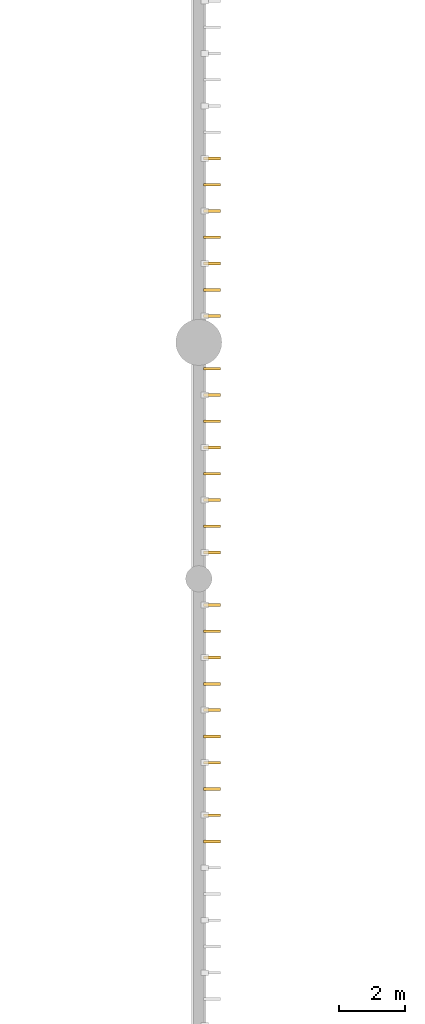
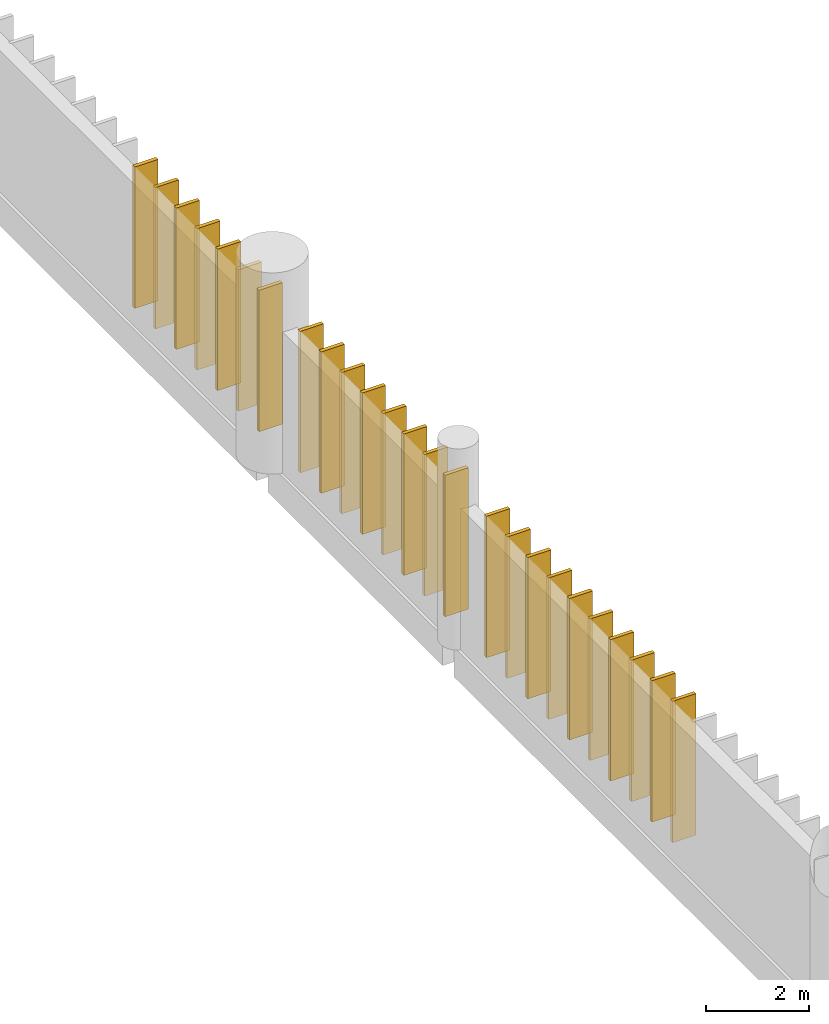
# One storey, part 61 of 64: 25 coverings, 13 shading devices.
"""IFC4 building model written with IfcOpenShell, lengths in metres."""

from ifc_helpers import new_model, si_unit, direction, frame, origin, origin_2d, place, context, subcontext, project, spatial, rectangle, extrude, material, layer, layer_set, type_object, element, save


model = new_model("IFC4")

# Units and contexts
model_context = context("Model", 3, precision=1e-05, world=origin(), true_north=direction((0.0, 1.0)))
body_context = subcontext(model_context, "Body", "Model", "MODEL_VIEW")
ifc_project = project(units=[si_unit("LENGTHUNIT", "METRE"), si_unit("AREAUNIT", "SQUARE_METRE"), si_unit("VOLUMEUNIT", "CUBIC_METRE"), si_unit("PLANEANGLEUNIT", "RADIAN"), si_unit("MASSUNIT", "GRAM", prefix="KILO")], contexts=[model_context])

# Site, building, storey
site_placement = place(None, origin())
site = spatial("IfcSite", under=ifc_project, at=site_placement, CompositionType="ELEMENT")
building_placement = place(site_placement, origin())
building = spatial("IfcBuilding", under=site, at=building_placement, Name="Qandorah Velis Arena", CompositionType="ELEMENT")
storey_placement = place(building_placement, frame((0.0, 0.0, 23.0)))
storey = spatial("IfcBuildingStorey", under=building, at=storey_placement, Name="L05", CompositionType="ELEMENT", Elevation=23.0)

# Coverings
ifc_material = material(Name="Champagne-bronze anodized aluminium 6063-T6", Category="aluminium")
ifc_layer = layer(ifc_material, 0.0849609375)
ifc_layer_set = layer_set([ifc_layer], Name="Champagne-bronze anodized aluminium 6063-T6")
covering_type = type_object("IfcCoveringType", Name="ARC-COV-FIN520", PredefinedType="CLADDING", material=ifc_layer_set)
for number, where, z_axis, x_axis, name in (
    (1, (115.60205078125, 42.39990234375, 0.0), (0.0, 0.0, 1.0), (1.0, 0.0, 0.0), "Vertical champagne-bronze solar fin blade DRM-2-03-L05-008"),
    (2, (115.60205078125, 43.199951171875, 0.0), (0.0, 0.0, 1.0), (1.0, 0.0, 0.0), "Vertical champagne-bronze solar fin blade DRM-2-03-L05-009"),
    (3, (115.60205078125, 44.0, 0.0), (0.0, 0.0, 1.0), (1.0, 0.0, 0.0), "Vertical champagne-bronze solar fin blade DRM-2-03-L05-010"),
    (4, (115.60205078125, 44.800048828125, 0.0), (0.0, 0.0, 1.0), (1.0, 0.0, 0.0), "Vertical champagne-bronze solar fin blade DRM-2-03-L05-011"),
    (5, (115.60205078125, 45.60009765625, 0.0), (0.0, 0.0, 1.0), (1.0, 0.0, 0.0), "Vertical champagne-bronze solar fin blade DRM-2-03-L05-012"),
    (6, (115.60205078125, 46.39990234375, 0.0), (0.0, 0.0, 1.0), (1.0, 0.0, 0.0), "Vertical champagne-bronze solar fin blade DRM-2-03-L05-013"),
    (7, (115.60205078125, 47.199951171875, 0.0), (0.0, 0.0, 1.0), (1.0, 0.0, 0.0), "Vertical champagne-bronze solar fin blade DRM-2-03-L05-014"),
    (8, (115.60205078125, 48.0, 0.0), (0.0, 0.0, 1.0), (1.0, 0.0, 0.0), "Vertical champagne-bronze solar fin blade DRM-2-03-L05-015"),
    (9, (115.60205078125, 48.800048828125, 0.0), (0.0, 0.0, 1.0), (1.0, 0.0, 0.0), "Vertical champagne-bronze solar fin blade DRM-2-03-L05-016"),
    (10, (115.60205078125, 49.60009765625, 0.0), (0.0, 0.0, 1.0), (1.0, 0.0, 0.0), "Vertical champagne-bronze solar fin blade DRM-2-03-L05-017"),
    (11, (115.60205078125, 51.199951171875, 0.0), (0.0, 0.0, 1.0), (1.0, 0.0, 0.0), "Vertical champagne-bronze solar fin blade DRM-2-04-L05-001"),
    (12, (115.60205078125, 52.0, 0.0), (0.0, 0.0, 1.0), (1.0, 0.0, 0.0), "Vertical champagne-bronze solar fin blade DRM-2-04-L05-002"),
    (13, (115.60205078125, 52.800048828125, 0.0), (0.0, 0.0, 1.0), (1.0, 0.0, 0.0), "Vertical champagne-bronze solar fin blade DRM-2-04-L05-003"),
    (14, (115.60205078125, 53.60009765625, 0.0), (0.0, 0.0, 1.0), (1.0, 0.0, 0.0), "Vertical champagne-bronze solar fin blade DRM-2-04-L05-004"),
    (15, (115.60205078125, 54.39990234375, 0.0), (0.0, 0.0, 1.0), (1.0, 0.0, 0.0), "Vertical champagne-bronze solar fin blade DRM-2-04-L05-005"),
    (16, (115.60205078125, 55.199951171875, 0.0), (0.0, 0.0, 1.0), (1.0, 0.0, 0.0), "Vertical champagne-bronze solar fin blade DRM-2-04-L05-006"),
    (17, (115.60205078125, 56.0, 0.0), (0.0, 0.0, 1.0), (1.0, 0.0, 0.0), "Vertical champagne-bronze solar fin blade DRM-2-04-L05-007"),
    (18, (115.60205078125, 56.800048828125, 0.0), (0.0, 0.0, 1.0), (1.0, 0.0, 0.0), "Vertical champagne-bronze solar fin blade DRM-2-04-L05-008"),
    (19, (115.60205078125, 58.39990234375, 0.0), (0.0, 0.0, 1.0), (1.0, 0.0, 0.0), "Vertical champagne-bronze solar fin blade DRM-2-05-L05-001"),
    (20, (115.60205078125, 59.199951171875, 0.0), (0.0, 0.0, 1.0), (1.0, 0.0, 0.0), "Vertical champagne-bronze solar fin blade DRM-2-05-L05-002"),
    (21, (115.60205078125, 60.0, 0.0), (0.0, 0.0, 1.0), (1.0, 0.0, 0.0), "Vertical champagne-bronze solar fin blade DRM-2-05-L05-003"),
    (22, (115.60205078125, 60.800048828125, 0.0), (0.0, 0.0, 1.0), (1.0, 0.0, 0.0), "Vertical champagne-bronze solar fin blade DRM-2-05-L05-004"),
    (23, (115.60205078125, 61.60009765625, 0.0), (0.0, 0.0, 1.0), (1.0, 0.0, 0.0), "Vertical champagne-bronze solar fin blade DRM-2-05-L05-005"),
    (24, (115.60205078125, 62.39990234375, 0.0), (0.0, 0.0, 1.0), (1.0, 0.0, 0.0), "Vertical champagne-bronze solar fin blade DRM-2-05-L05-006"),
    (25, (115.60205078125, 63.199951171875, 0.0), (0.0, 0.0, 1.0), (1.0, 0.0, 0.0), "Vertical champagne-bronze solar fin blade DRM-2-05-L05-007"),
):
    element("IfcCovering", number, at=place(storey_placement, frame(where, z_axis=z_axis, x_axis=x_axis)), inside=storey, type_object=covering_type, Name=name, PredefinedType="CLADDING", context=body_context, shape_type="SweptSolid", body=[
        extrude(rectangle(XDim=0.52001953125, YDim=0.0849609375, at=origin_2d()), origin(), (0.0, 0.0, 1.0), 3.340087890625),
    ])

# Shading devices
shading_device_type = type_object("IfcShadingDeviceType", Name="ARC-SHD-FIN520", PredefinedType="USERDEFINED", material=ifc_material)
for number, where, z_axis, x_axis, name in (
    (26, (115.60205078125, 43.199951171875, 0.0), (0.0, 0.0, 1.0), (1.0, 0.0, 0.0), "Vertical aerofoil solar fin SF-0014"),
    (27, (115.60205078125, 44.800048828125, 0.0), (0.0, 0.0, 1.0), (1.0, 0.0, 0.0), "Vertical aerofoil solar fin SF-0015"),
    (28, (115.60205078125, 46.39990234375, 0.0), (0.0, 0.0, 1.0), (1.0, 0.0, 0.0), "Vertical aerofoil solar fin SF-0016"),
    (29, (115.60205078125, 48.0, 0.0), (0.0, 0.0, 1.0), (1.0, 0.0, 0.0), "Vertical aerofoil solar fin SF-0017"),
    (30, (115.60205078125, 49.60009765625, 0.0), (0.0, 0.0, 1.0), (1.0, 0.0, 0.0), "Vertical aerofoil solar fin SF-0018"),
    (31, (115.60205078125, 51.199951171875, 0.0), (0.0, 0.0, 1.0), (1.0, 0.0, 0.0), "Vertical aerofoil solar fin SF-0023"),
    (32, (115.60205078125, 52.800048828125, 0.0), (0.0, 0.0, 1.0), (1.0, 0.0, 0.0), "Vertical aerofoil solar fin SF-0024"),
    (33, (115.60205078125, 54.39990234375, 0.0), (0.0, 0.0, 1.0), (1.0, 0.0, 0.0), "Vertical aerofoil solar fin SF-0025"),
    (34, (115.60205078125, 56.0, 0.0), (0.0, 0.0, 1.0), (1.0, 0.0, 0.0), "Vertical aerofoil solar fin SF-0026"),
    (35, (115.60205078125, 58.39990234375, 0.0), (0.0, 0.0, 1.0), (1.0, 0.0, 0.0), "Vertical aerofoil solar fin SF-0036"),
    (36, (115.60205078125, 60.0, 0.0), (0.0, 0.0, 1.0), (1.0, 0.0, 0.0), "Vertical aerofoil solar fin SF-0037"),
    (37, (115.60205078125, 61.60009765625, 0.0), (0.0, 0.0, 1.0), (1.0, 0.0, 0.0), "Vertical aerofoil solar fin SF-0038"),
    (38, (115.60205078125, 63.199951171875, 0.0), (0.0, 0.0, 1.0), (1.0, 0.0, 0.0), "Vertical aerofoil solar fin SF-0039"),
):
    element("IfcShadingDevice", number, at=place(storey_placement, frame(where, z_axis=z_axis, x_axis=x_axis)), inside=storey, type_object=shading_device_type, Name=name, ObjectType="SOLAR FIN", PredefinedType="USERDEFINED", context=body_context, shape_type="SweptSolid", body=[
        extrude(rectangle(XDim=0.52001953125, YDim=0.0849609375, at=origin_2d()), origin(), (0.0, 0.0, 1.0), 3.340087890625),
    ])

save(model, "model.ifc")
